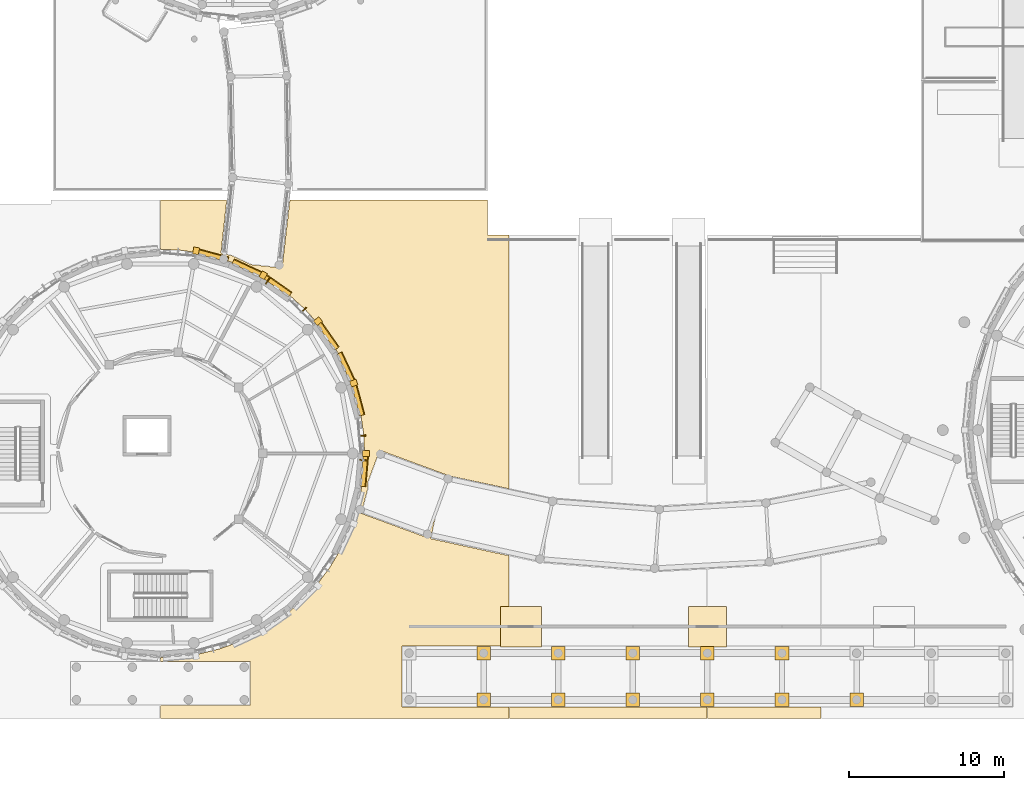
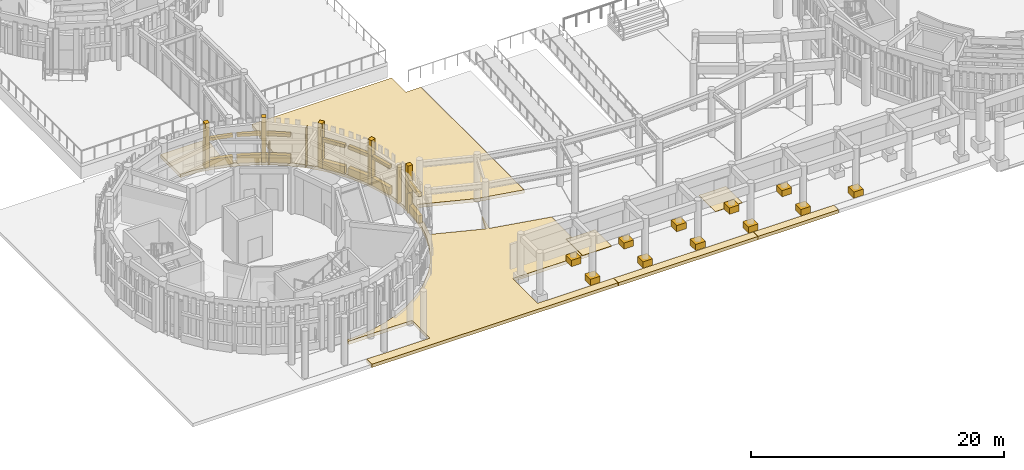
# One storey, part 69 of 94: 35 coverings, 4 shading devices.
"""IFC4 building model written with IfcOpenShell, lengths in metres."""

from ifc_helpers import new_model, si_unit, direction, frame, origin, origin_2d, place, context, subcontext, project, spatial, polyline, rectangle, outline, extrude, material, layer, layer_set, type_object, element, save


model = new_model("IFC4")

# Units and contexts
model_context = context("Model", 3, precision=1e-05, world=origin(), true_north=direction((0.0, 1.0)))
body_context = subcontext(model_context, "Body", "Model", "MODEL_VIEW")
ifc_project = project(units=[si_unit("LENGTHUNIT", "METRE"), si_unit("AREAUNIT", "SQUARE_METRE"), si_unit("VOLUMEUNIT", "CUBIC_METRE"), si_unit("PLANEANGLEUNIT", "RADIAN"), si_unit("MASSUNIT", "GRAM", prefix="KILO")], contexts=[model_context])

# Site, building, storey
site_placement = place(None, origin())
site = spatial("IfcSite", under=ifc_project, at=site_placement, CompositionType="ELEMENT")
building_placement = place(site_placement, origin())
building = spatial("IfcBuilding", under=site, at=building_placement, Name="Aldenvaro Health Centre", CompositionType="ELEMENT")
storey_placement = place(building_placement, origin())
storey = spatial("IfcBuildingStorey", under=building, at=storey_placement, Name="L00", CompositionType="ELEMENT", Elevation=0.0)

# Coverings
ifc_material_1 = material(Name="Honed Sonoran Buff Limestone", Category="masonry")
ifc_layer_1 = layer(ifc_material_1, 0.280029296875, Name="Honed Sonoran Buff Limestone", Category="masonry")
ifc_layer_set_1 = layer_set([ifc_layer_1], Name="Honed Sonoran Buff Limestone")
covering_type_1 = type_object("IfcCoveringType", Name="COV-CRN-STN", PredefinedType="CLADDING", material=ifc_layer_set_1)
covering_1_placement = place(storey_placement, frame((31.64111328125, 17.35009765625, 0.0), z_axis=(0.0, 0.0, 1.0), x_axis=(-0.087166950289, -0.996193717495, 0.0)))
element("IfcCovering", 1, at=covering_1_placement, inside=storey, type_object=covering_type_1, Name="D5 L00 Rusticated Limestone Plinth 1.1", PredefinedType="CLADDING", context=body_context, shape_type="SweptSolid", body=[
    extrude(rectangle(XDim=1.968994140625, YDim=0.340087890625, at=origin_2d()), origin(), (0.0, 0.0, 1.0), 0.719970703125),
])
covering_2_placement = place(storey_placement, frame((31.611083984375, 17.35302734375, 2.5498046875), z_axis=(0.0, 0.0, 1.0), x_axis=(-0.087166950289, -0.996193717495, 0.0)))
element("IfcCovering", 2, at=covering_2_placement, inside=storey, type_object=covering_type_1, Name="D5 L00 Rusticated Limestone Plinth 1.2", PredefinedType="CLADDING", context=body_context, shape_type="SweptSolid", body=[
    extrude(rectangle(XDim=1.968994140625, YDim=0.280029296875, at=origin_2d()), origin(), (0.0, 0.0, 1.0), 0.280029296875),
])
covering_3_placement = place(storey_placement, frame((31.739990234375, 18.5, -0.00048828125), z_axis=(0.0, 0.0, 1.0), x_axis=(1.0, 0.0, 0.0)))
element("IfcCovering", 3, at=covering_3_placement, inside=storey, type_object=covering_type_1, Name="D5 L00 Engaged Classical Limestone Pilaster 01", PredefinedType="CLADDING", context=body_context, shape_type="SweptSolid", body=[
    extrude(rectangle(XDim=0.43994140625, YDim=0.3798828125, at=origin_2d()), origin(), (0.0, 0.0, 1.0), 4.304931640625),
])
covering_4_placement = place(storey_placement, frame((21.9140625, 31.240966796875, 0.0), z_axis=(0.0, 0.0, 1.0), x_axis=(0.9659242304, -0.258825000966, 0.0)))
element("IfcCovering", 4, at=covering_4_placement, inside=storey, type_object=covering_type_1, Name="D5 L00 Rusticated Limestone Plinth 29.1", PredefinedType="CLADDING", context=body_context, shape_type="SweptSolid", body=[
    extrude(rectangle(XDim=1.968994140625, YDim=0.340087890625, at=origin_2d()), origin(), (0.0, 0.0, 1.0), 0.719970703125),
])
covering_5_placement = place(storey_placement, frame((21.906005859375, 31.2119140625, 2.5498046875), z_axis=(0.0, 0.0, 1.0), x_axis=(0.9659242304, -0.258825000966, 0.0)))
element("IfcCovering", 5, at=covering_5_placement, inside=storey, type_object=covering_type_1, Name="D5 L00 Rusticated Limestone Plinth 29.2", PredefinedType="CLADDING", context=body_context, shape_type="SweptSolid", body=[
    extrude(rectangle(XDim=1.968994140625, YDim=0.280029296875, at=origin_2d()), origin(), (0.0, 0.0, 1.0), 0.280029296875),
])
covering_6_placement = place(storey_placement, frame((20.799072265625, 31.5390625, -0.00048828125), z_axis=(0.0, 0.0, 1.0), x_axis=(0.173643819888, 0.984808521396, 0.0)))
element("IfcCovering", 6, at=covering_6_placement, inside=storey, type_object=covering_type_1, Name="D5 L00 Engaged Classical Limestone Pilaster 15", PredefinedType="CLADDING", context=body_context, shape_type="SweptSolid", body=[
    extrude(rectangle(XDim=0.43994140625, YDim=0.3798828125, at=origin_2d()), origin(), (0.0, 0.0, 1.0), 4.304931640625),
])
covering_7_placement = place(storey_placement, frame((24.074951171875, 30.455078125, 0.0), z_axis=(0.0, 0.0, 1.0), x_axis=(0.906364844733, -0.422495879545, 0.0)))
element("IfcCovering", 7, at=covering_7_placement, inside=storey, type_object=covering_type_1, Name="D5 L00 Rusticated Limestone Plinth 30.1", PredefinedType="CLADDING", context=body_context, shape_type="SweptSolid", body=[
    extrude(rectangle(XDim=1.968994140625, YDim=0.340087890625, at=origin_2d()), origin(), (0.0, 0.0, 1.0), 0.719970703125),
])
covering_8_placement = place(storey_placement, frame((24.06201171875, 30.427978515625, 2.5498046875), z_axis=(0.0, 0.0, 1.0), x_axis=(0.906364844733, -0.422495879545, 0.0)))
element("IfcCovering", 8, at=covering_8_placement, inside=storey, type_object=covering_type_1, Name="D5 L00 Rusticated Limestone Plinth 30.2", PredefinedType="CLADDING", context=body_context, shape_type="SweptSolid", body=[
    extrude(rectangle(XDim=1.968994140625, YDim=0.280029296875, at=origin_2d()), origin(), (0.0, 0.0, 1.0), 0.280029296875),
])
covering_9_placement = place(storey_placement, frame((26.06591796875, 29.304931640625, 0.0), z_axis=(0.0, 0.0, 1.0), x_axis=(0.819106553991, -0.573641397746, 0.0)))
element("IfcCovering", 9, at=covering_9_placement, inside=storey, type_object=covering_type_1, Name="D5 L00 Rusticated Limestone Plinth 31.1", PredefinedType="CLADDING", context=body_context, shape_type="SweptSolid", body=[
    extrude(rectangle(XDim=1.968994140625, YDim=0.340087890625, at=origin_2d()), origin(), (0.0, 0.0, 1.0), 0.719970703125),
])
covering_10_placement = place(storey_placement, frame((26.049072265625, 29.281005859375, 2.5498046875), z_axis=(0.0, 0.0, 1.0), x_axis=(0.819106553991, -0.573641397746, 0.0)))
element("IfcCovering", 10, at=covering_10_placement, inside=storey, type_object=covering_type_1, Name="D5 L00 Rusticated Limestone Plinth 31.2", PredefinedType="CLADDING", context=body_context, shape_type="SweptSolid", body=[
    extrude(rectangle(XDim=1.968994140625, YDim=0.280029296875, at=origin_2d()), origin(), (0.0, 0.0, 1.0), 0.280029296875),
])
covering_11_placement = place(storey_placement, frame((25.1201171875, 29.966064453125, -0.00048828125), z_axis=(0.0, 0.0, 1.0), x_axis=(0.499990860177, 0.8660306806, 0.0)))
element("IfcCovering", 11, at=covering_11_placement, inside=storey, type_object=covering_type_1, Name="D5 L00 Engaged Classical Limestone Pilaster 16", PredefinedType="CLADDING", context=body_context, shape_type="SweptSolid", body=[
    extrude(rectangle(XDim=0.43994140625, YDim=0.3798828125, at=origin_2d()), origin(), (0.0, 0.0, 1.0), 4.304931640625),
])
covering_12_placement = place(storey_placement, frame((29.304931640625, 26.06591796875, 0.0), z_axis=(0.0, 0.0, 1.0), x_axis=(0.573641397746, -0.819106553991, 0.0)))
element("IfcCovering", 12, at=covering_12_placement, inside=storey, type_object=covering_type_1, Name="D5 L00 Rusticated Limestone Plinth 33.1", PredefinedType="CLADDING", context=body_context, shape_type="SweptSolid", body=[
    extrude(rectangle(XDim=1.968994140625, YDim=0.340087890625, at=origin_2d()), origin(), (0.0, 0.0, 1.0), 0.719970703125),
])
covering_13_placement = place(storey_placement, frame((29.281005859375, 26.049072265625, 2.5498046875), z_axis=(0.0, 0.0, 1.0), x_axis=(0.573641397746, -0.819106553991, 0.0)))
element("IfcCovering", 13, at=covering_13_placement, inside=storey, type_object=covering_type_1, Name="D5 L00 Rusticated Limestone Plinth 33.2", PredefinedType="CLADDING", context=body_context, shape_type="SweptSolid", body=[
    extrude(rectangle(XDim=1.968994140625, YDim=0.280029296875, at=origin_2d()), origin(), (0.0, 0.0, 1.0), 0.280029296875),
])
covering_14_placement = place(storey_placement, frame((28.64208984375, 27.010986328125, -0.00048828125), z_axis=(0.0, 0.0, 1.0), x_axis=(0.76604377724, 0.642788403249, 0.0)))
element("IfcCovering", 14, at=covering_14_placement, inside=storey, type_object=covering_type_1, Name="D5 L00 Engaged Classical Limestone Pilaster 17", PredefinedType="CLADDING", context=body_context, shape_type="SweptSolid", body=[
    extrude(rectangle(XDim=0.43994140625, YDim=0.3798828125, at=origin_2d()), origin(), (0.0, 0.0, 1.0), 4.304931640625),
])
covering_15_placement = place(storey_placement, frame((30.455078125, 24.074951171875, 0.0), z_axis=(0.0, 0.0, 1.0), x_axis=(0.422495879545, -0.906364844733, 0.0)))
element("IfcCovering", 15, at=covering_15_placement, inside=storey, type_object=covering_type_1, Name="D5 L00 Rusticated Limestone Plinth 34.1", PredefinedType="CLADDING", context=body_context, shape_type="SweptSolid", body=[
    extrude(rectangle(XDim=1.968994140625, YDim=0.340087890625, at=origin_2d()), origin(), (0.0, 0.0, 1.0), 0.719970703125),
])
covering_16_placement = place(storey_placement, frame((30.427978515625, 24.06201171875, 2.5498046875), z_axis=(0.0, 0.0, 1.0), x_axis=(0.422495879545, -0.906364844733, 0.0)))
element("IfcCovering", 16, at=covering_16_placement, inside=storey, type_object=covering_type_1, Name="D5 L00 Rusticated Limestone Plinth 34.2", PredefinedType="CLADDING", context=body_context, shape_type="SweptSolid", body=[
    extrude(rectangle(XDim=1.968994140625, YDim=0.280029296875, at=origin_2d()), origin(), (0.0, 0.0, 1.0), 0.280029296875),
])
covering_17_placement = place(storey_placement, frame((31.240966796875, 21.9140625, 0.0), z_axis=(0.0, 0.0, 1.0), x_axis=(0.258825000966, -0.9659242304, 0.0)))
element("IfcCovering", 17, at=covering_17_placement, inside=storey, type_object=covering_type_1, Name="D5 L00 Rusticated Limestone Plinth 35.1", PredefinedType="CLADDING", context=body_context, shape_type="SweptSolid", body=[
    extrude(rectangle(XDim=1.968994140625, YDim=0.340087890625, at=origin_2d()), origin(), (0.0, 0.0, 1.0), 0.719970703125),
])
covering_18_placement = place(storey_placement, frame((31.2119140625, 21.906005859375, 2.5498046875), z_axis=(0.0, 0.0, 1.0), x_axis=(0.258825000966, -0.9659242304, 0.0)))
element("IfcCovering", 18, at=covering_18_placement, inside=storey, type_object=covering_type_1, Name="D5 L00 Rusticated Limestone Plinth 35.2", PredefinedType="CLADDING", context=body_context, shape_type="SweptSolid", body=[
    extrude(rectangle(XDim=1.968994140625, YDim=0.280029296875, at=origin_2d()), origin(), (0.0, 0.0, 1.0), 0.280029296875),
])
covering_19_placement = place(storey_placement, frame((30.94189453125, 23.028076171875, -0.00048828125), z_axis=(0.0, 0.0, 1.0), x_axis=(0.939693796234, 0.34201691379, 0.0)))
element("IfcCovering", 19, at=covering_19_placement, inside=storey, type_object=covering_type_1, Name="D5 L00 Engaged Classical Limestone Pilaster 18", PredefinedType="CLADDING", context=body_context, shape_type="SweptSolid", body=[
    extrude(rectangle(XDim=0.43994140625, YDim=0.3798828125, at=origin_2d()), origin(), (0.0, 0.0, 1.0), 4.304931640625),
])
for number, where, z_axis, x_axis, name in (
    (20, (39.300048828125, 2.64990234375, 0.0), (0.0, 0.0, 1.0), (1.0, 0.0, 0.0), "South Stoa Classical Column Plinth 3"),
    (21, (39.300048828125, 5.64990234375, 0.0), (0.0, 0.0, 1.0), (1.0, 0.0, 0.0), "South Stoa Classical Column Plinth 4"),
    (22, (44.10009765625, 2.64990234375, 0.0), (0.0, 0.0, 1.0), (1.0, 0.0, 0.0), "South Stoa Classical Column Plinth 5"),
    (23, (44.10009765625, 5.64990234375, 0.0), (0.0, 0.0, 1.0), (1.0, 0.0, 0.0), "South Stoa Classical Column Plinth 6"),
    (24, (48.89990234375, 2.64990234375, 0.0), (0.0, 0.0, 1.0), (1.0, 0.0, 0.0), "South Stoa Classical Column Plinth 7"),
    (25, (48.89990234375, 5.64990234375, 0.0), (0.0, 0.0, 1.0), (1.0, 0.0, 0.0), "South Stoa Classical Column Plinth 8"),
    (26, (53.699951171875, 2.64990234375, 0.0), (0.0, 0.0, 1.0), (1.0, 0.0, 0.0), "South Stoa Classical Column Plinth 9"),
    (27, (53.699951171875, 5.64990234375, 0.0), (0.0, 0.0, 1.0), (1.0, 0.0, 0.0), "South Stoa Classical Column Plinth 10"),
    (28, (58.5, 2.64990234375, 0.0), (0.0, 0.0, 1.0), (1.0, 0.0, 0.0), "South Stoa Classical Column Plinth 11"),
    (29, (58.5, 5.64990234375, 0.0), (0.0, 0.0, 1.0), (1.0, 0.0, 0.0), "South Stoa Classical Column Plinth 12"),
    (30, (63.300048828125, 2.64990234375, 0.0), (0.0, 0.0, 1.0), (1.0, 0.0, 0.0), "South Stoa Classical Column Plinth 13"),
):
    element("IfcCovering", number, at=place(storey_placement, frame(where, z_axis=z_axis, x_axis=x_axis)), inside=storey, type_object=covering_type_1, Name=name, PredefinedType="CLADDING", context=body_context, shape_type="SweptSolid", body=[
        extrude(rectangle(XDim=0.8798828125, YDim=0.8798828125, at=origin_2d()), origin(), (0.0, 0.0, 1.0), 0.60009765625),
    ])
ifc_material_2 = material(Name="Honed Arizona Limestone Walk", Category="masonry")
ifc_layer_2 = layer(ifc_material_2, 0.06005859375, Name="Honed Arizona Limestone Walk", Category="masonry")
ifc_layer_set_2 = layer_set([ifc_layer_2], Name="Honed Arizona Limestone Walk")
covering_type_2 = type_object("IfcCoveringType", Name="COV-GDN-PATH", PredefinedType="FLOORING", material=ifc_layer_set_2)
covering_20_placement = place(storey_placement, origin())
element("IfcCovering", 31, at=covering_20_placement, inside=storey, type_object=covering_type_2, Name="Therapy Garden Security Gate Threshold Apron 1", PredefinedType="FLOORING", context=body_context, shape_type="SweptSolid", body=[
    extrude(outline(polyline([(40.375, 6.050048828125), (43.02490234375, 6.050048828125), (43.02490234375, 8.64990234375), (40.375, 8.64990234375), (40.375, 6.050048828125)])), origin(), (0.0, 0.0, 1.0), 0.0400390625),
])
covering_21_placement = place(storey_placement, origin())
element("IfcCovering", 32, at=covering_21_placement, inside=storey, type_object=covering_type_2, Name="Therapy Garden Security Gate Threshold Apron 2", PredefinedType="FLOORING", context=body_context, shape_type="SweptSolid", body=[
    extrude(outline(polyline([(52.47607421875, 6.050048828125), (54.926025390625, 6.050048828125), (54.926025390625, 8.64990234375), (52.47607421875, 8.64990234375), (52.47607421875, 6.050048828125)])), origin(), (0.0, 0.0, 1.0), 0.0400390625),
])
ifc_material_3 = material(Name="Honed Sonoran Buff Travertine", Category="masonry")
ifc_layer_3 = layer(ifc_material_3, 0.320068359375, Name="Honed Sonoran Buff Travertine", Category="masonry")
ifc_layer_set_3 = layer_set([ifc_layer_3], Name="Honed Sonoran Buff Travertine")
covering_type_3 = type_object("IfcCoveringType", Name="COV-POD-320", PredefinedType="FLOORING", material=ifc_layer_set_3)
covering_22_placement = place(storey_placement, frame((0.0, 0.0, -0.320068359375)))
element("IfcCovering", 33, at=covering_22_placement, inside=storey, type_object=covering_type_3, Name="South Street Entrance Stylobate Forecourt Section 2", PredefinedType="FLOORING", context=body_context, shape_type="SweptSolid", body=[
    extrude(outline(polyline([(34.048095703125, 6.1201171875), (34.035888671875, 2.18603515625), (40.93310546875, 2.18505859375), (40.93310546875, 1.449951171875), (18.513916015625, 1.449951171875), (18.513916015625, 2.281982421875), (24.283935546875, 2.280029296875), (24.300048828125, 5.10400390625), (18.513916015625, 5.112060546875), (18.513916015625, 5.361083984375), (19.7880859375, 5.423095703125), (21.06298828125, 5.612060546875), (22.31396484375, 5.926025390625), (23.528076171875, 6.360107421875), (24.694091796875, 6.912109375), (25.800048828125, 7.573974609375), (26.8359375, 8.343017578125), (27.791015625, 9.208984375), (28.656982421875, 10.1640625), (29.426025390625, 11.199951171875), (30.087890625, 12.305908203125), (30.639892578125, 13.471923828125), (31.073974609375, 14.68603515625), (31.387939453125, 15.93701171875), (31.576904296875, 17.2119140625), (31.639892578125, 18.5), (31.576904296875, 19.7880859375), (31.387939453125, 21.06298828125), (31.073974609375, 22.31396484375), (30.639892578125, 23.528076171875), (30.087890625, 24.694091796875), (29.426025390625, 25.800048828125), (28.656982421875, 26.8359375), (27.791015625, 27.791015625), (26.8359375, 28.656982421875), (25.800048828125, 29.426025390625), (24.694091796875, 30.087890625), (23.528076171875, 30.639892578125), (22.31396484375, 31.073974609375), (21.06298828125, 31.387939453125), (19.7880859375, 31.576904296875), (18.513916015625, 31.638916015625), (18.513916015625, 34.800048828125), (22.77099609375, 34.800048828125), (22.40087890625, 31.412109375), (23.126953125, 31.214111328125), (24.341064453125, 30.64892578125), (26.3330078125, 30.427978515625), (26.8359375, 34.800048828125), (39.550048828125, 34.800048828125), (39.550048828125, 32.550048828125), (40.93310546875, 32.550048828125), (40.93310546875, 16.22900390625), (37.094970703125, 17.052978515625), (32.614013671875, 18.708984375), (31.875, 16.721923828125), (31.823974609375, 16.14990234375), (31.422119140625, 14.64501953125), (35.632080078125, 13.093017578125), (36.27099609375, 14.802001953125), (35.89501953125, 13.01611328125), (40.93310546875, 11.916015625), (40.93310546875, 6.116943359375), (34.048095703125, 6.1201171875)])), origin(), (0.0, 0.0, 1.0), 0.320068359375),
])
covering_23_placement = place(storey_placement, frame((0.0, 0.0, -0.320068359375)))
element("IfcCovering", 34, at=covering_23_placement, inside=storey, type_object=covering_type_3, Name="South Street Entrance Stylobate Forecourt Section 4", PredefinedType="FLOORING", context=body_context, shape_type="SweptSolid", body=[
    extrude(outline(polyline([(53.68408203125, 2.18310546875), (53.68408203125, 1.449951171875), (40.962890625, 1.449951171875), (40.962890625, 2.18505859375), (53.68408203125, 2.18310546875)])), origin(), (0.0, 0.0, 1.0), 0.320068359375),
])
covering_24_placement = place(storey_placement, frame((0.0, 0.0, -0.320068359375)))
element("IfcCovering", 35, at=covering_24_placement, inside=storey, type_object=covering_type_3, Name="South Street Entrance Stylobate Forecourt Section 5", PredefinedType="FLOORING", context=body_context, shape_type="SweptSolid", body=[
    extrude(outline(polyline([(53.714111328125, 1.449951171875), (53.714111328125, 2.18310546875), (61.02490234375, 2.181884765625), (61.02490234375, 1.449951171875), (53.714111328125, 1.449951171875)])), origin(), (0.0, 0.0, 1.0), 0.320068359375),
])

# Shading devices
ifc_material_4 = material(Name="Douglas Fir Exterior Glulam GL28h", Category="wood")
shading_device_type_1 = type_object("IfcShadingDeviceType", Name="SHD-FIN-190", PredefinedType="USERDEFINED", material=ifc_material_4)
for number, where, z_axis, x_axis, name in (
    (36, (31.5380859375, 18.06591796875, -0.02001953125), (0.0, 0.0, 1.0), (-0.087166950289, -0.996193717495, 0.0), "D5 L00 Douglas fir fin 1.1"),
    (37, (25.39404296875, 29.573974609375, -0.02001953125), (0.0, 0.0, 1.0), (0.819106553991, -0.573641397746, 0.0), "D5 L00 Douglas fir fin 31.1"),
):
    element("IfcShadingDevice", number, at=place(storey_placement, frame(where, z_axis=z_axis, x_axis=x_axis)), inside=storey, type_object=shading_device_type_1, Name=name, ObjectType="FIN", PredefinedType="USERDEFINED", context=body_context, shape_type="SweptSolid", body=[
        extrude(rectangle(XDim=0.06494140625, YDim=0.419921875, at=origin_2d()), origin(), (0.0, 0.0, 1.0), 1.89990234375),
    ])
shading_device_type_2 = type_object("IfcShadingDeviceType", Name="SHD-FIN-380", PredefinedType="USERDEFINED", material=ifc_material_4)
shading_device_1_placement = place(storey_placement, frame((31.510986328125, 19.637939453125, -0.0205078125), z_axis=(0.0, 0.0, 1.0), x_axis=(0.087166950289, -0.996193717495, 0.0)))
element("IfcShadingDevice", 38, at=shading_device_1_placement, inside=storey, type_object=shading_device_type_2, Name="D5 L00 vertical timber fin 36.0", ObjectType="FIN", PredefinedType="USERDEFINED", context=body_context, shape_type="SweptSolid", body=[
    extrude(rectangle(XDim=0.074951171875, YDim=0.419921875, at=origin_2d()), origin(), (0.0, 0.0, 1.0), 3.698974609375),
])
shading_device_type_3 = type_object("IfcShadingDeviceType", Name="SHD-FIN-455", PredefinedType="USERDEFINED", material=ifc_material_4)
shading_device_2_placement = place(storey_placement, frame((27.735107421875, 27.735107421875, -0.0205078125), z_axis=(0.0, 0.0, 1.0), x_axis=(0.707106781187, -0.707106781187, 0.0)))
element("IfcShadingDevice", 39, at=shading_device_2_placement, inside=storey, type_object=shading_device_type_3, Name="D5 L00 vertical timber fin 32.0", ObjectType="FIN", PredefinedType="USERDEFINED", context=body_context, shape_type="SweptSolid", body=[
    extrude(rectangle(XDim=0.06494140625, YDim=0.419921875, at=origin_2d()), origin(), (0.0, 0.0, 1.0), 3.698974609375),
])

save(model, "model.ifc")
